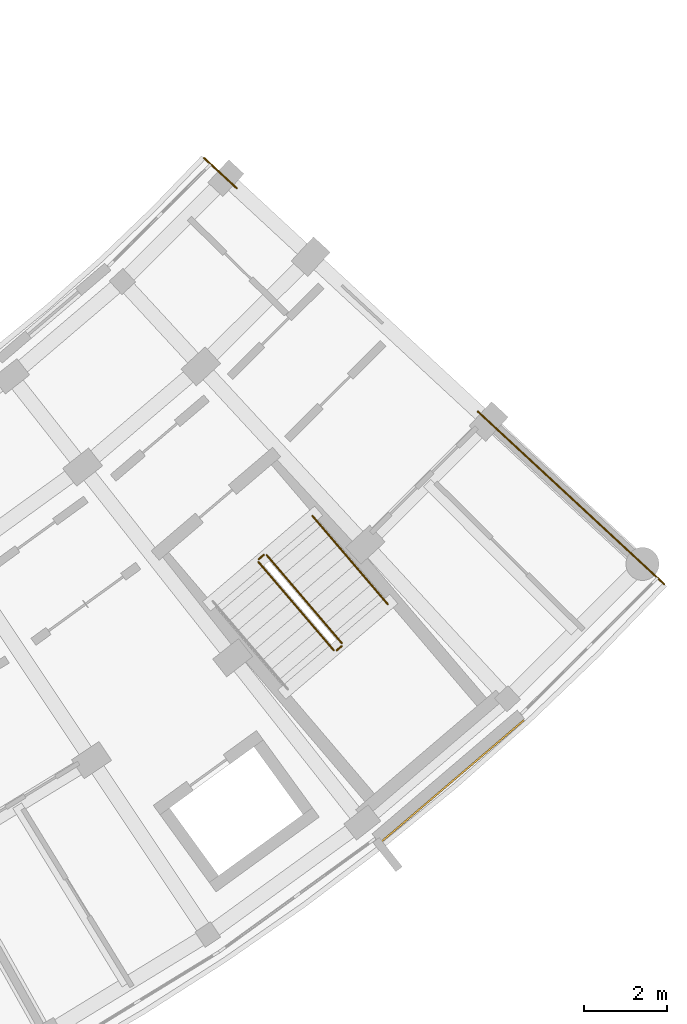
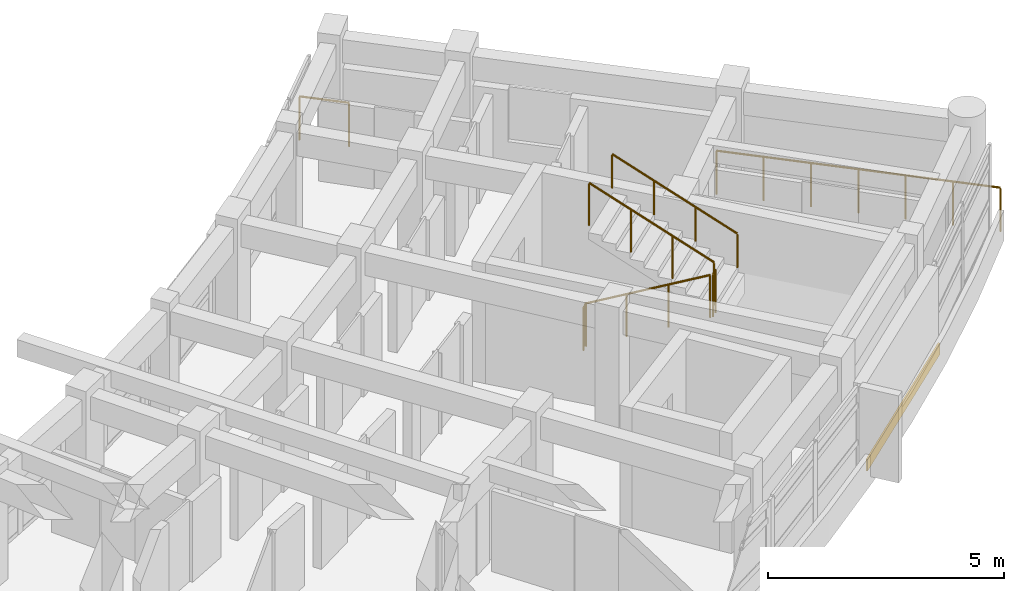
# One storey, part 55 of 55: 7 railings, 1 covering.
"""IFC4 building model written with IfcOpenShell, lengths in metres."""

from ifc_helpers import new_model, si_unit, direction, frame, origin, origin_2d, place, context, subcontext, project, spatial, rectangle, circle, extrude, material, layer, layer_set, type_object, element, save


model = new_model("IFC4")

# Units and contexts
model_context = context("Model", 3, precision=1e-05, world=origin(), true_north=direction((0.0, 1.0)))
body_context = subcontext(model_context, "Body", "Model", "MODEL_VIEW")
ifc_project = project(units=[si_unit("LENGTHUNIT", "METRE"), si_unit("AREAUNIT", "SQUARE_METRE"), si_unit("VOLUMEUNIT", "CUBIC_METRE"), si_unit("PLANEANGLEUNIT", "RADIAN"), si_unit("MASSUNIT", "GRAM", prefix="KILO")], contexts=[model_context])

# Site, building, storey
site_placement = place(None, origin())
site = spatial("IfcSite", under=ifc_project, at=site_placement, CompositionType="ELEMENT")
building_placement = place(site_placement, origin())
building = spatial("IfcBuilding", under=site, at=building_placement, Name="Zimvara Arc Housing Community", CompositionType="ELEMENT")
storey_placement = place(building_placement, frame((0.0, 0.0, 14.300048828125)))
storey = spatial("IfcBuildingStorey", under=building, at=storey_placement, Name="L04", CompositionType="ELEMENT", Elevation=14.300048828125)

# Covering
ifc_material_1 = material(Name="Pale-Gold Anodised Aluminium Cladding", Category="aluminium")
ifc_layer = layer(ifc_material_1, 0.0400390625)
ifc_layer_set = layer_set([ifc_layer], Name="Pale-Gold Anodised Aluminium Cladding")
covering_type = type_object("IfcCoveringType", Name="CLD-GOLD-01", PredefinedType="CLADDING", material=ifc_layer_set)
covering_placement = place(storey_placement, frame((164.574951171875, 64.591064453125, 0.009765625), z_axis=(0.0, 0.0, 1.0), x_axis=(0.760971293982, 0.648785549882, 0.0)))
element("IfcCovering", 1, at=covering_placement, inside=storey, type_object=covering_type, Name="cld:blkD:L04:out:b8", PredefinedType="CLADDING", context=body_context, shape_type="SweptSolid", body=[
    extrude(rectangle(XDim=4.5625, YDim=0.0400390625, at=origin_2d()), origin(), (0.0, 0.0, 1.0), 0.300048828125),
])

# Railings
ifc_material_2 = material(Name="Anodised Aluminium AW-6063", Category="aluminium")
railing_type_1 = type_object("IfcRailingType", Name="RLG-BAL-1120", PredefinedType="BALUSTRADE", material=ifc_material_2)
railing_1_placement = place(storey_placement, frame((159.87744140625, 69.900634765625, 0.155029296875)))
element("IfcRailing", 2, at=railing_1_placement, inside=storey, type_object=railing_type_1, Name="L04 ST-D2 stair guard 1", PredefinedType="BALUSTRADE", context=body_context, shape_type="SweptSolid", body=[
    extrude(circle(Radius=0.02392578125, at=origin_2d()), frame((0.0, 0.0, 1.09619140625), z_axis=(0.581041388364, -0.681489443978, 0.444930379672), x_axis=(0.760960200111, 0.648798561841, 0.0)), (0.0, 0.0, 1.0), 3.13525390625),
    extrude(circle(Radius=0.02099609375, at=origin_2d()), origin(), (0.0, 0.0, 1.0), 1.072021484375),
    extrude(circle(Radius=0.02099609375, at=origin_2d()), frame((0.607177734375, -0.712158203125, 0.465087890625)), (0.0, 0.0, 1.0), 1.072021484375),
    extrude(circle(Radius=0.02099609375, at=origin_2d()), frame((1.214599609375, -1.424560546875, 0.929931640625)), (0.0, 0.0, 1.0), 1.072021484375),
    extrude(circle(Radius=0.02099609375, at=origin_2d()), frame((1.82177734375, -2.13671875, 1.39501953125)), (0.0, 0.0, 1.0), 1.072021484375),
])
railing_2_placement = place(storey_placement, frame((161.76953125, 67.75830078125, 1.550048828125)))
element("IfcRailing", 3, at=railing_2_placement, inside=storey, type_object=railing_type_1, Name="L04 ST-D2 stair guard 2", PredefinedType="BALUSTRADE", context=body_context, shape_type="SweptSolid", body=[
    extrude(circle(Radius=0.02392578125, at=origin_2d()), frame((0.0, 0.0, 1.09619140625), z_axis=(0.761299014529, 0.648400964278, 0.0), x_axis=(-0.648400964278, 0.761299014529, 0.0)), (0.0, 0.0, 1.0), 0.159912109375),
    extrude(circle(Radius=0.02099609375, at=origin_2d()), origin(), (0.0, 0.0, 1.0), 1.072021484375),
    extrude(circle(Radius=0.02099609375, at=origin_2d()), frame((0.121826171875, 0.103759765625, 0.0)), (0.0, 0.0, 1.0), 1.072021484375),
])
railing_3_placement = place(storey_placement, frame((161.89697265625, 67.9326171875, 1.704833984375)))
element("IfcRailing", 4, at=railing_3_placement, inside=storey, type_object=railing_type_1, Name="L04 ST-D2 stair guard 3", PredefinedType="BALUSTRADE", context=body_context, shape_type="SweptSolid", body=[
    extrude(circle(Radius=0.02392578125, at=origin_2d()), frame((0.0, 0.0, 1.09619140625), z_axis=(-0.581041388364, 0.681489443978, 0.444930379672), x_axis=(-0.760960200111, -0.648798561841, 0.0)), (0.0, 0.0, 1.0), 3.13525390625),
    extrude(circle(Radius=0.02099609375, at=origin_2d()), origin(), (0.0, 0.0, 1.0), 1.072021484375),
    extrude(circle(Radius=0.02099609375, at=origin_2d()), frame((-0.607177734375, 0.712158203125, 0.465087890625)), (0.0, 0.0, 1.0), 1.072021484375),
    extrude(circle(Radius=0.02099609375, at=origin_2d()), frame((-1.214599609375, 1.424560546875, 0.929931640625)), (0.0, 0.0, 1.0), 1.072021484375),
    extrude(circle(Radius=0.02099609375, at=origin_2d()), frame((-1.82177734375, 2.13671875, 1.39501953125)), (0.0, 0.0, 1.0), 1.072021484375),
])
railing_4_placement = place(storey_placement, frame((159.883056640625, 69.97119140625, 0.0)))
element("IfcRailing", 5, at=railing_4_placement, inside=storey, type_object=railing_type_1, Name="L04 ST-D2 stair guard 4", PredefinedType="BALUSTRADE", context=body_context, shape_type="SweptSolid", body=[
    extrude(circle(Radius=0.02392578125, at=origin_2d()), frame((0.0, 0.0, 1.09619140625), z_axis=(0.760656476318, 0.649154623364, 0.0), x_axis=(-0.649154623364, 0.760656476318, 0.0)), (0.0, 0.0, 1.0), 0.159912109375),
    extrude(circle(Radius=0.02099609375, at=origin_2d()), origin(), (0.0, 0.0, 1.0), 1.072021484375),
    extrude(circle(Radius=0.02099609375, at=origin_2d()), frame((0.12158203125, 0.103759765625, 0.0)), (0.0, 0.0, 1.0), 1.072021484375),
])
ifc_material_3 = material(Name="Anodised Aluminium AW-6063", Category="aluminium")
railing_type_2 = type_object("IfcRailingType", Name="RLG-BAL-1150", PredefinedType="BALUSTRADE", material=ifc_material_3)
railing_5_placement = place(storey_placement, frame((158.5576171875, 79.69287109375, 0.0)))
element("IfcRailing", 6, at=railing_5_placement, inside=storey, type_object=railing_type_2, Name="rlg:blkD:L04:gable_in:gN", PredefinedType="BALUSTRADE", context=body_context, shape_type="SweptSolid", body=[
    extrude(circle(Radius=0.02392578125, at=origin_2d()), frame((0.0, 0.0, 1.1259765625), z_axis=(0.733710590348, -0.679462117864, 0.0), x_axis=(0.679462117864, 0.733710590348, 0.0)), (0.0, 0.0, 1.0), 1.080078125),
    extrude(circle(Radius=0.02099609375, at=origin_2d()), origin(), (0.0, 0.0, 1.0), 1.101806640625),
    extrude(circle(Radius=0.02099609375, at=origin_2d()), frame((0.79248046875, -0.73388671875, 0.0)), (0.0, 0.0, 1.0), 1.101806640625),
])
railing_6_placement = place(storey_placement, frame((165.1904296875, 73.550537109375, 0.0)))
element("IfcRailing", 7, at=railing_6_placement, inside=storey, type_object=railing_type_2, Name="rlg:blkD:L04:gable_out:gN", PredefinedType="BALUSTRADE", context=body_context, shape_type="SweptSolid", body=[
    extrude(circle(Radius=0.02392578125, at=origin_2d()), frame((0.0, 0.0, 1.1259765625), z_axis=(0.733734329214, -0.67943648278, 0.0), x_axis=(0.67943648278, 0.733734329214, 0.0)), (0.0, 0.0, 1.0), 6.159912109375),
    extrude(circle(Radius=0.02099609375, at=origin_2d()), origin(), (0.0, 0.0, 1.0), 1.101806640625),
    extrude(circle(Radius=0.02099609375, at=origin_2d()), frame((0.75341796875, -0.697509765625, 0.0)), (0.0, 0.0, 1.0), 1.101806640625),
    extrude(circle(Radius=0.02099609375, at=origin_2d()), frame((1.506591796875, -1.39501953125, 0.0)), (0.0, 0.0, 1.0), 1.101806640625),
    extrude(circle(Radius=0.02099609375, at=origin_2d()), frame((2.259765625, -2.0927734375, 0.0)), (0.0, 0.0, 1.0), 1.101806640625),
    extrude(circle(Radius=0.02099609375, at=origin_2d()), frame((3.01318359375, -2.790283203125, 0.0)), (0.0, 0.0, 1.0), 1.101806640625),
    extrude(circle(Radius=0.02099609375, at=origin_2d()), frame((3.7666015625, -3.48779296875, 0.0)), (0.0, 0.0, 1.0), 1.101806640625),
    extrude(circle(Radius=0.02099609375, at=origin_2d()), frame((4.519775390625, -4.185302734375, 0.0)), (0.0, 0.0, 1.0), 1.101806640625),
])
ifc_material_4 = material(Name="Anodised Aluminium AW-6063", Category="aluminium")
railing_type_3 = type_object("IfcRailingType", Name="RLG-HND-900", PredefinedType="HANDRAIL", material=ifc_material_4)
railing_7_placement = place(storey_placement, frame((163.008056640625, 68.8798828125, 1.704833984375)))
element("IfcRailing", 8, at=railing_7_placement, inside=storey, type_object=railing_type_3, Name="L04 ST-D2 stair handrail 2", PredefinedType="HANDRAIL", context=body_context, shape_type="SweptSolid", body=[
    extrude(circle(Radius=0.02392578125, at=origin_2d()), frame((0.0, 0.0, 0.8759765625), z_axis=(-0.581041388364, 0.681489443978, 0.444930379672), x_axis=(-0.760960200111, -0.648798561841, 0.0)), (0.0, 0.0, 1.0), 3.13525390625),
    extrude(circle(Radius=0.02099609375, at=origin_2d()), origin(), (0.0, 0.0, 1.0), 0.851806640625),
    extrude(circle(Radius=0.02099609375, at=origin_2d()), frame((-0.607177734375, 0.712158203125, 0.465087890625)), (0.0, 0.0, 1.0), 0.851806640625),
    extrude(circle(Radius=0.02099609375, at=origin_2d()), frame((-1.214599609375, 1.424560546875, 0.929931640625)), (0.0, 0.0, 1.0), 0.851806640625),
    extrude(circle(Radius=0.02099609375, at=origin_2d()), frame((-1.82177734375, 2.13671875, 1.39501953125)), (0.0, 0.0, 1.0), 0.851806640625),
])

save(model, "model.ifc")
